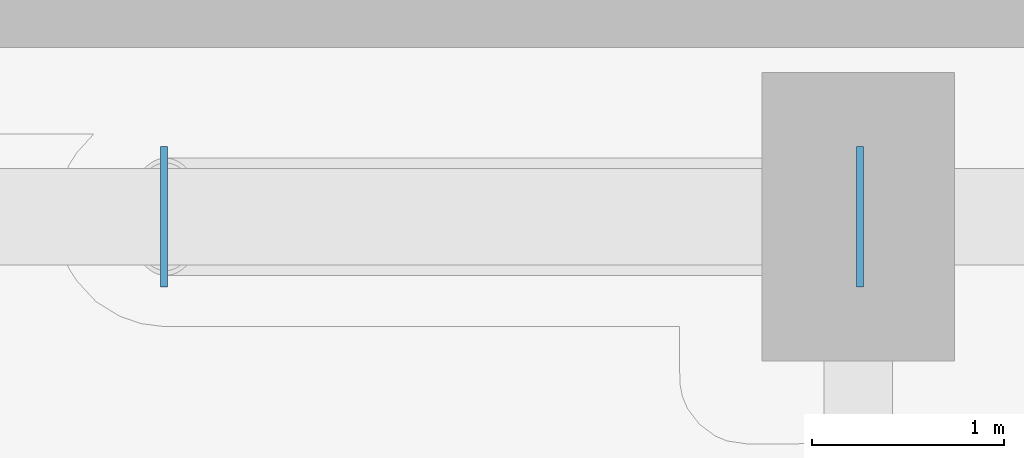
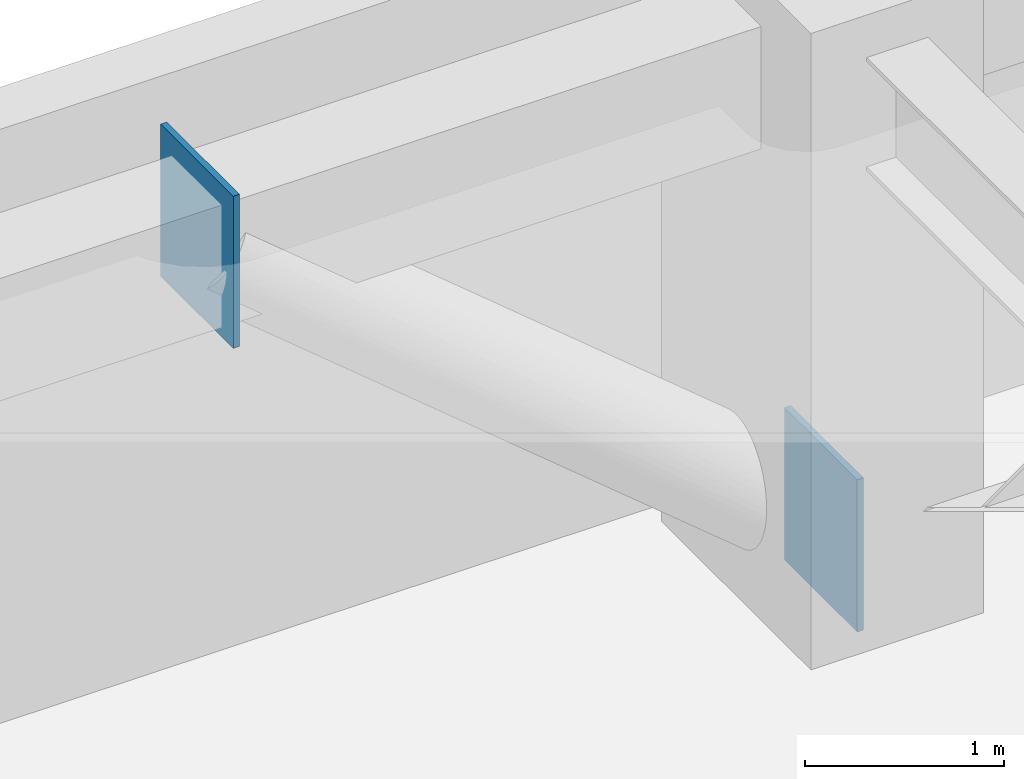
# One storey, part 21 of 28: 2 plates.
"""IFC4 building model written with IfcOpenShell, lengths in metres."""

from ifc_helpers import new_model, si_unit, direction, frame, origin, origin_2d, place, context, subcontext, project, spatial, rectangle, extrude, material, layer, layer_set, type_object, element, save


model = new_model("IFC4")

# Units and contexts
model_context = context("Model", 3, precision=1e-05, world=origin(), true_north=direction((0.0, 1.0)))
body_context = subcontext(model_context, "Body", "Model", "MODEL_VIEW")
ifc_project = project(units=[si_unit("LENGTHUNIT", "METRE"), si_unit("AREAUNIT", "SQUARE_METRE"), si_unit("VOLUMEUNIT", "CUBIC_METRE"), si_unit("PLANEANGLEUNIT", "RADIAN"), si_unit("MASSUNIT", "GRAM", prefix="KILO")], contexts=[model_context])

# Site, building, storey
site_placement = place(None, origin())
site = spatial("IfcSite", under=ifc_project, at=site_placement, CompositionType="ELEMENT")
building_placement = place(site_placement, origin())
building = spatial("IfcBuilding", under=site, at=building_placement, Name="Kiyonajd Concourse Tower", CompositionType="ELEMENT")
storey_placement = place(building_placement, frame((0.0, 0.0, 56.699951171875)))
storey = spatial("IfcBuildingStorey", under=building, at=storey_placement, Name="L15", CompositionType="ELEMENT", Elevation=56.699951171875)

# Plates
ifc_material = material(Name="Steel ASTM A572 Grade 50", Category="steel")
ifc_layer = layer(ifc_material, 0.028076171875)
ifc_layer_set = layer_set([ifc_layer], Name="Steel ASTM A572 Grade 50")
plate_type = type_object("IfcPlateType", Name="PL-CAP-450", PredefinedType="USERDEFINED", material=ifc_layer_set)
for number, where, z_axis, x_axis, name in (
    (1, (63.6083984375, 61.199951171875, -0.173583984375), (0.0, 0.0, 1.0), (1.0, 0.0, 0.0), "L15 Hollow Brace End Cap Plate PBN"),
    (2, (59.991455078125, 61.199951171875, 2.83056640625), (0.0, 0.0, 1.0), (-1.0, 0.0, 0.0), "L15 Hollow Brace Top Cap Plate PBN"),
):
    element("IfcPlate", number, at=place(storey_placement, frame(where, z_axis=z_axis, x_axis=x_axis)), inside=storey, type_object=plate_type, Name=name, ObjectType="CAP PLATE", PredefinedType="USERDEFINED", context=body_context, shape_type="SweptSolid", body=[
        extrude(rectangle(XDim=0.035888671875, YDim=0.72998046875, at=origin_2d()), origin(), (0.0, 0.0, 1.0), 0.93310546875),
    ])

save(model, "model.ifc")
